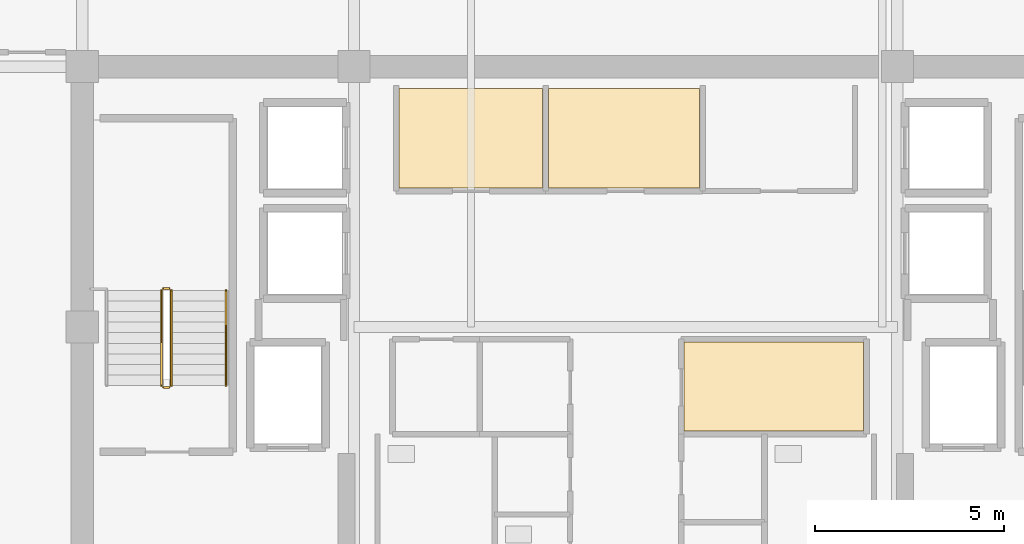
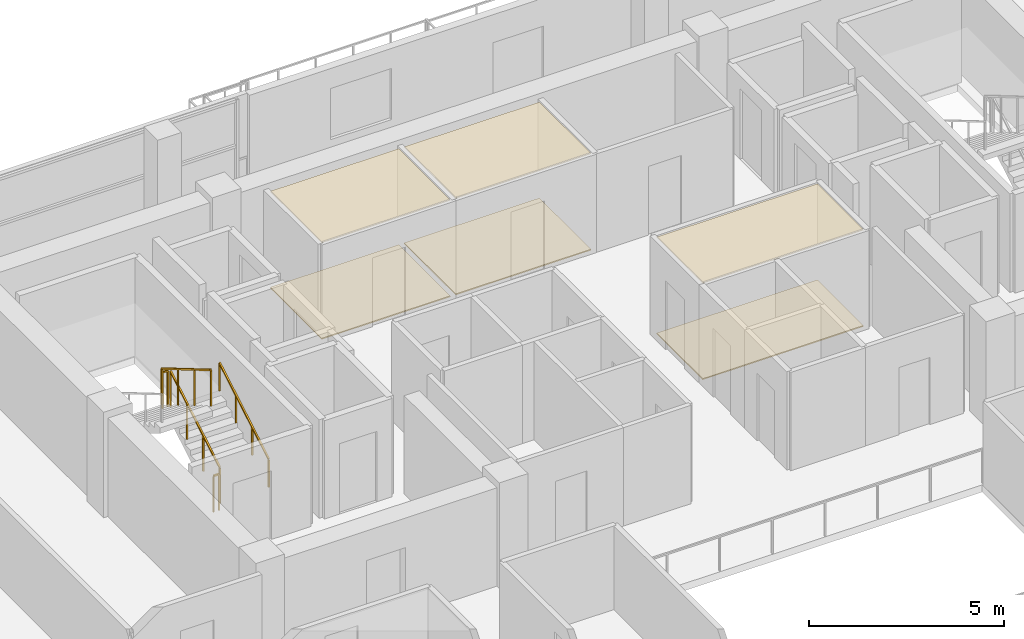
# One storey, part 21 of 24: 6 coverings, 5 railings.
"""IFC4 building model written with IfcOpenShell, lengths in metres."""

from ifc_helpers import new_model, si_unit, direction, frame, origin, origin_2d, place, context, subcontext, project, spatial, polyline, rectangle, outline, extrude, material, layer, layer_set, type_object, element, save


model = new_model("IFC4")

# Units and contexts
model_context = context("Model", 3, precision=1e-05, world=origin(), true_north=direction((0.0, 1.0)))
body_context = subcontext(model_context, "Body", "Model", "MODEL_VIEW")
ifc_project = project(units=[si_unit("LENGTHUNIT", "METRE"), si_unit("AREAUNIT", "SQUARE_METRE"), si_unit("VOLUMEUNIT", "CUBIC_METRE"), si_unit("PLANEANGLEUNIT", "RADIAN"), si_unit("MASSUNIT", "GRAM", prefix="KILO")], contexts=[model_context])

# Site, building, storey
site_placement = place(None, origin())
site = spatial("IfcSite", under=ifc_project, at=site_placement, CompositionType="ELEMENT")
building_placement = place(site_placement, origin())
building = spatial("IfcBuilding", under=site, at=building_placement, Name="Zarnakvel Exchange Tower", CompositionType="ELEMENT")
storey_placement = place(building_placement, frame((0.0, 0.0, 208.89990234375)))
storey = spatial("IfcBuildingStorey", under=building, at=storey_placement, Name="L58", CompositionType="ELEMENT", Elevation=208.89990234375)

# Coverings
ifc_material_1 = material(Name="Perforated Bronze Acoustic Metal Ceiling", Category="aluminium")
ifc_layer_1 = layer(ifc_material_1, 0.02001953125)
ifc_layer_set_1 = layer_set([ifc_layer_1], Name="Perforated Bronze Acoustic Metal Ceiling")
covering_type_1 = type_object("IfcCoveringType", Name="CLG-01", PredefinedType="CEILING", material=ifc_layer_set_1)
covering_1_placement = place(storey_placement, frame((0.0, 0.0, 3.01513671875)))
element("IfcCovering", 1, at=covering_1_placement, inside=storey, type_object=covering_type_1, Name="L58 Suspended Acoustic Ceiling (Clearing Records Office)", PredefinedType="CEILING", context=body_context, shape_type="SweptSolid", body=[
    extrude(outline(polyline([(-6.0, 12.919921875), (-2.199951171875, 12.919921875), (-2.199951171875, 10.280029296875), (-6.0, 10.280029296875), (-6.0, 12.919921875)])), origin(), (0.0, 0.0, 1.0), 0.02001953125),
])
covering_2_placement = place(storey_placement, frame((0.0, 0.0, 3.01513671875)))
element("IfcCovering", 2, at=covering_2_placement, inside=storey, type_object=covering_type_1, Name="L58 Suspended Acoustic Ceiling (Brokerage Filing Room)", PredefinedType="CEILING", context=body_context, shape_type="SweptSolid", body=[
    extrude(outline(polyline([(-2.0400390625, 12.919921875), (1.9599609375, 12.919921875), (1.9599609375, 10.280029296875), (-2.0400390625, 10.280029296875), (-2.0400390625, 12.919921875)])), origin(), (0.0, 0.0, 1.0), 0.02001953125),
])
covering_3_placement = place(storey_placement, frame((0.0, 0.0, 3.01513671875)))
element("IfcCovering", 3, at=covering_3_placement, inside=storey, type_object=covering_type_1, Name="L58 Suspended Acoustic Ceiling (Telemetry Server Suite)", PredefinedType="CEILING", context=body_context, shape_type="SweptSolid", body=[
    extrude(outline(polyline([(1.550048828125, 6.199951171875), (6.300048828125, 6.199951171875), (6.300048828125, 3.840087890625), (1.550048828125, 3.840087890625), (1.550048828125, 6.199951171875)])), origin(), (0.0, 0.0, 1.0), 0.02001953125),
])
ifc_material_2 = material(Name="Heavy-Duty Raised Access Floor Panel", Category="steel")
ifc_layer_2 = layer(ifc_material_2, 0.034912109375)
ifc_layer_set_2 = layer_set([ifc_layer_2], Name="Heavy-Duty Raised Access Floor Panel")
covering_type_2 = type_object("IfcCoveringType", Name="FLR-02", PredefinedType="FLOORING", material=ifc_layer_set_2)
covering_4_placement = place(storey_placement, origin())
element("IfcCovering", 4, at=covering_4_placement, inside=storey, type_object=covering_type_2, Name="L58 Floor Finish (Clearing Records Office)", PredefinedType="FLOORING", context=body_context, shape_type="SweptSolid", body=[
    extrude(outline(polyline([(-6.0, 12.919921875), (-2.199951171875, 12.919921875), (-2.199951171875, 10.280029296875), (-6.0, 10.280029296875), (-6.0, 12.919921875)])), origin(), (0.0, 0.0, 1.0), 0.03515625),
])
covering_5_placement = place(storey_placement, origin())
element("IfcCovering", 5, at=covering_5_placement, inside=storey, type_object=covering_type_2, Name="L58 Floor Finish (Brokerage Filing Room)", PredefinedType="FLOORING", context=body_context, shape_type="SweptSolid", body=[
    extrude(outline(polyline([(-2.0400390625, 12.919921875), (1.9599609375, 12.919921875), (1.9599609375, 10.280029296875), (-2.0400390625, 10.280029296875), (-2.0400390625, 12.919921875)])), origin(), (0.0, 0.0, 1.0), 0.03515625),
])
covering_6_placement = place(storey_placement, origin())
element("IfcCovering", 6, at=covering_6_placement, inside=storey, type_object=covering_type_2, Name="L58 Floor Finish (Telemetry Server Suite)", PredefinedType="FLOORING", context=body_context, shape_type="SweptSolid", body=[
    extrude(outline(polyline([(1.550048828125, 6.199951171875), (6.300048828125, 6.199951171875), (6.300048828125, 3.840087890625), (1.550048828125, 3.840087890625), (1.550048828125, 6.199951171875)])), origin(), (0.0, 0.0, 1.0), 0.03515625),
])

# Railings
ifc_material_3 = material(Name="Brushed Stainless Steel", Category="steel")
railing_type_1 = type_object("IfcRailingType", Name="HR-01", PredefinedType="HANDRAIL", material=ifc_material_3)
railing_1_placement = place(storey_placement, frame((-10.590087890625, 5.050048828125, 0.1650390625)))
element("IfcRailing", 7, at=railing_1_placement, inside=storey, type_object=railing_type_1, Name="L58 ST-01 stair handrail 1", PredefinedType="HANDRAIL", context=body_context, shape_type="SweptSolid", body=[
    extrude(rectangle(XDim=0.048095703125, YDim=0.048095703125, at=origin_2d()), frame((0.0, 0.0, 0.8759765625), z_axis=(0.0, 0.86152411907, 0.507716645641), x_axis=(-1.0, 0.0, 0.0)), (0.0, 0.0, 1.0), 2.925048828125),
    extrude(rectangle(XDim=0.0419921875, YDim=0.0419921875, at=origin_2d()), origin(), (0.0, 0.0, 1.0), 0.851806640625),
    extrude(rectangle(XDim=0.0419921875, YDim=0.0419921875, at=origin_2d()), frame((0.0, 0.840087890625, 0.4951171875)), (0.0, 0.0, 1.0), 0.851806640625),
    extrude(rectangle(XDim=0.0419921875, YDim=0.0419921875, at=origin_2d()), frame((0.0, 1.679931640625, 0.989990234375)), (0.0, 0.0, 1.0), 0.851806640625),
    extrude(rectangle(XDim=0.0419921875, YDim=0.0419921875, at=origin_2d()), frame((0.0, 2.52001953125, 1.485107421875)), (0.0, 0.0, 1.0), 0.851806640625),
])
ifc_material_4 = material(Name="Architectural Bronze Anodised Aluminium", Category="aluminium")
railing_type_2 = type_object("IfcRailingType", Name="SG-01", PredefinedType="GUARDRAIL", material=ifc_material_4)
railing_2_placement = place(storey_placement, frame((-12.0400390625, 5.050048828125, 0.1650390625)))
element("IfcRailing", 8, at=railing_2_placement, inside=storey, type_object=railing_type_2, Name="L58 ST-01 stair guard 1", PredefinedType="GUARDRAIL", context=body_context, shape_type="SweptSolid", body=[
    extrude(rectangle(XDim=0.048095703125, YDim=0.048095703125, at=origin_2d()), frame((0.0, 0.0, 1.1259765625), z_axis=(0.0, 0.86152411907, 0.507716645641), x_axis=(-1.0, 0.0, 0.0)), (0.0, 0.0, 1.0), 2.925048828125),
    extrude(rectangle(XDim=0.0419921875, YDim=0.0419921875, at=origin_2d()), origin(), (0.0, 0.0, 1.0), 1.101806640625),
    extrude(rectangle(XDim=0.0419921875, YDim=0.0419921875, at=origin_2d()), frame((0.0, 0.840087890625, 0.4951171875)), (0.0, 0.0, 1.0), 1.101806640625),
    extrude(rectangle(XDim=0.0419921875, YDim=0.0419921875, at=origin_2d()), frame((0.0, 1.679931640625, 0.989990234375)), (0.0, 0.0, 1.0), 1.101806640625),
    extrude(rectangle(XDim=0.0419921875, YDim=0.0419921875, at=origin_2d()), frame((0.0, 2.52001953125, 1.485107421875)), (0.0, 0.0, 1.0), 1.101806640625),
])
railing_3_placement = place(storey_placement, frame((-12.090087890625, 7.6201171875, 1.650146484375)))
element("IfcRailing", 9, at=railing_3_placement, inside=storey, type_object=railing_type_2, Name="L58 ST-01 stair guard 2", PredefinedType="GUARDRAIL", context=body_context, shape_type="SweptSolid", body=[
    extrude(rectangle(XDim=0.048095703125, YDim=0.048095703125, at=origin_2d()), frame((0.0, 0.0, 1.1259765625), z_axis=(-1.0, 0.0, 0.0), x_axis=(0.0, -1.0, 0.0)), (0.0, 0.0, 1.0), 0.159912109375),
    extrude(rectangle(XDim=0.0419921875, YDim=0.0419921875, at=origin_2d()), origin(), (0.0, 0.0, 1.0), 1.101806640625),
    extrude(rectangle(XDim=0.0419921875, YDim=0.0419921875, at=origin_2d()), frame((-0.159912109375, 0.0, 0.0)), (0.0, 0.0, 1.0), 1.101806640625),
])
railing_4_placement = place(storey_placement, frame((-12.300048828125, 7.570068359375, 1.815185546875)))
element("IfcRailing", 10, at=railing_4_placement, inside=storey, type_object=railing_type_2, Name="L58 ST-01 stair guard 3", PredefinedType="GUARDRAIL", context=body_context, shape_type="SweptSolid", body=[
    extrude(rectangle(XDim=0.048095703125, YDim=0.048095703125, at=origin_2d()), frame((0.0, 0.0, 1.1259765625), z_axis=(0.0, -0.861560626758, 0.507654692109), x_axis=(1.0, 0.0, 0.0)), (0.0, 0.0, 1.0), 2.925048828125),
    extrude(rectangle(XDim=0.0419921875, YDim=0.0419921875, at=origin_2d()), origin(), (0.0, 0.0, 1.0), 1.101806640625),
    extrude(rectangle(XDim=0.0419921875, YDim=0.0419921875, at=origin_2d()), frame((0.0, -0.840087890625, 0.494873046875)), (0.0, 0.0, 1.0), 1.101806640625),
    extrude(rectangle(XDim=0.0419921875, YDim=0.0419921875, at=origin_2d()), frame((0.0, -1.679931640625, 0.989990234375)), (0.0, 0.0, 1.0), 1.101806640625),
    extrude(rectangle(XDim=0.0419921875, YDim=0.0419921875, at=origin_2d()), frame((0.0, -2.52001953125, 1.48486328125)), (0.0, 0.0, 1.0), 1.101806640625),
])
railing_5_placement = place(storey_placement, frame((-12.090087890625, 5.0, 0.0)))
element("IfcRailing", 11, at=railing_5_placement, inside=storey, type_object=railing_type_2, Name="L58 ST-01 stair guard 4", PredefinedType="GUARDRAIL", context=body_context, shape_type="SweptSolid", body=[
    extrude(rectangle(XDim=0.048095703125, YDim=0.048095703125, at=origin_2d()), frame((0.0, 0.0, 1.1259765625), z_axis=(-1.0, 0.0, 0.0), x_axis=(0.0, -1.0, 0.0)), (0.0, 0.0, 1.0), 0.159912109375),
    extrude(rectangle(XDim=0.0419921875, YDim=0.0419921875, at=origin_2d()), origin(), (0.0, 0.0, 1.0), 1.101806640625),
    extrude(rectangle(XDim=0.0419921875, YDim=0.0419921875, at=origin_2d()), frame((-0.159912109375, 0.0, 0.0)), (0.0, 0.0, 1.0), 1.101806640625),
])

save(model, "model.ifc")
